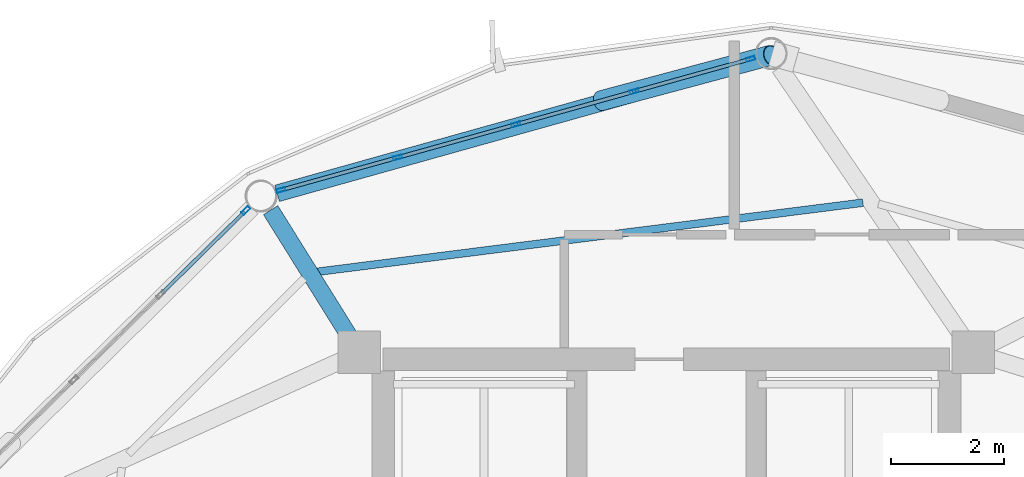
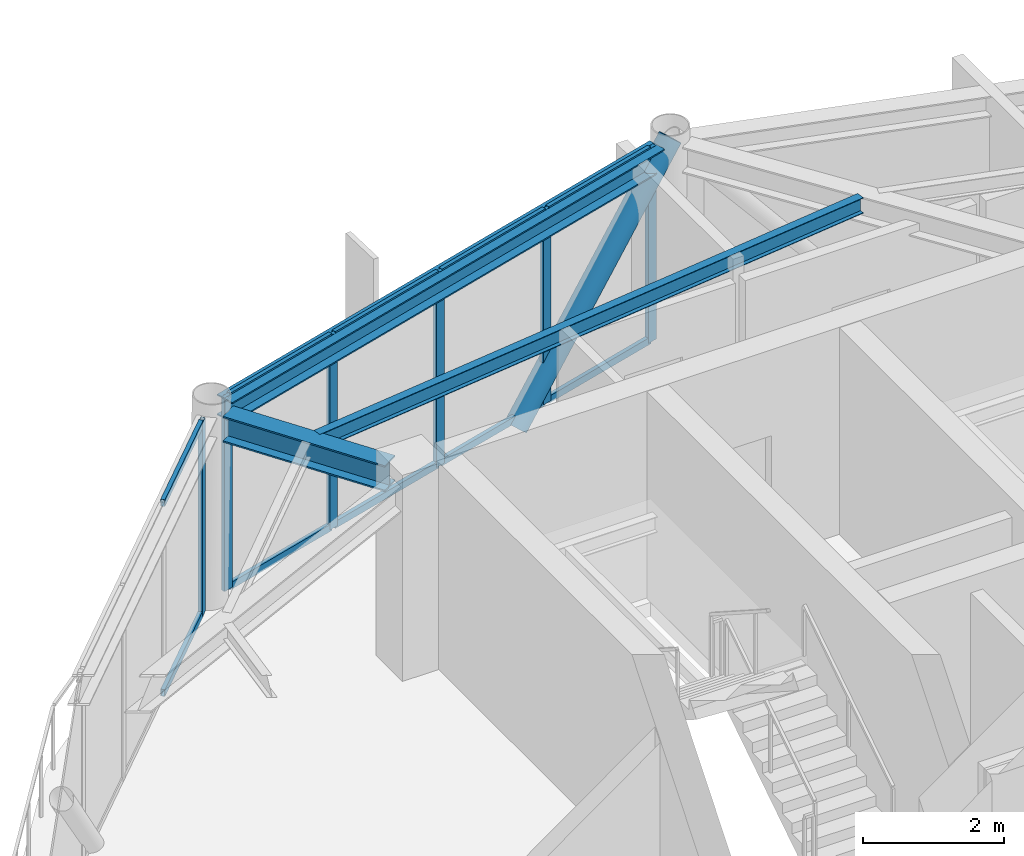
# One storey, part 18 of 26: 17 members, 3 beams, 2 elements without a shape of their own.
"""IFC4 building model written with IfcOpenShell, lengths in metres."""

import ifcopenshell
import ifcopenshell.guid

model = None  # the IFC model being written
_history = None  # IfcOwnerHistory: only IFC2X3 demands one
_inside = {}  # id of a spatial element -> (the spatial element, [elements in it])
_under = {}  # id of a project, library or spatial element -> (it, [spatial elements below it])
_declared = {}  # id of a project -> (the project, [libraries it declares])
_typed = {}  # id of a type object -> (the type object, [elements of that type])
_made_of = {}  # id of a material, layer set ... -> (it, [elements and type objects made of it])


def new_model(schema):
    """Start an empty IFC model of exactly this schema.

    Asked for "IFC4X3", IfcOpenShell would pick the latest addendum, in which some entities
    have other attributes; the version numbers below select the first issue.
    IFC2X3 requires an IfcOwnerHistory on every rooted entity: one is made here for all.
    """
    global model, _history
    if schema == "IFC4X3":
        model = ifcopenshell.file(schema_version=(4, 3, 0, 0))
    else:
        model = ifcopenshell.file(schema=schema)
    _inside.clear()
    _under.clear()
    _declared.clear()
    _typed.clear()
    _made_of.clear()
    _history = None
    if model.schema == "IFC2X3":
        org = make("IfcOrganization", Name="unknown")
        user = make(
            "IfcPersonAndOrganization",
            ThePerson=make("IfcPerson", FamilyName="unknown"),
            TheOrganization=org,
        )
        app = make(
            "IfcApplication",
            ApplicationDeveloper=org,
            Version="unknown",
            ApplicationFullName="unknown",
            ApplicationIdentifier="unknown",
        )
        _history = make(
            "IfcOwnerHistory",
            OwningUser=user,
            OwningApplication=app,
            ChangeAction="ADDED",
            CreationDate=0,
        )
    return model


def make(cls, **values):
    """One entity of the class cls with the attributes given. An attribute that is None is left unset."""
    return model.create_entity(
        cls, **{name: value for name, value in values.items() if value is not None}
    )


def rooted(cls, **values):
    """An entity with a GlobalId (a new one), such as an element, a storey or a relation."""
    return make(cls, GlobalId=ifcopenshell.guid.new(), OwnerHistory=_history, **values)


def si_unit(unit_type, name, prefix=None):
    """IfcSIUnit, for example si_unit("LENGTHUNIT", "METRE", prefix="MILLI")."""
    return make("IfcSIUnit", UnitType=unit_type, Prefix=prefix, Name=name)


def assignment(units):
    """IfcUnitAssignment: the units of a project."""
    return None if units is None else make("IfcUnitAssignment", Units=units)


def point(xyz):
    """IfcCartesianPoint."""
    return None if xyz is None else make("IfcCartesianPoint", Coordinates=xyz)


def direction(xyz):
    """IfcDirection."""
    return None if xyz is None else make("IfcDirection", DirectionRatios=xyz)


def frame(location, z_axis=None, x_axis=None):
    """IfcAxis2Placement3D, a coordinate frame: its origin and axes. An axis left out is left unset."""
    return make(
        "IfcAxis2Placement3D",
        Location=point(location),
        Axis=direction(z_axis),
        RefDirection=direction(x_axis),
    )


def frame_2d(location, x_axis=None):
    """IfcAxis2Placement2D, a coordinate frame in the plane: its origin and x axis."""
    return make(
        "IfcAxis2Placement2D", Location=point(location), RefDirection=direction(x_axis)
    )


def origin():
    """The frame at (0, 0, 0) with its axes left unset."""
    return frame((0.0, 0.0, 0.0))


def origin_2d():
    """The frame at (0, 0) in the plane with its x axis left unset."""
    return frame_2d((0.0, 0.0))


def place(relative_to, where):
    """IfcLocalPlacement: puts the frame where relative to a parent placement (None: the world)."""
    return make(
        "IfcLocalPlacement", PlacementRelTo=relative_to, RelativePlacement=where
    )


def context(
    kind, dimensions, precision=None, world=None, true_north=None, identifier=None
):
    """IfcGeometricRepresentationContext, for example the 3D "Model" context."""
    return make(
        "IfcGeometricRepresentationContext",
        ContextIdentifier=identifier,
        ContextType=kind,
        CoordinateSpaceDimension=dimensions,
        Precision=precision,
        WorldCoordinateSystem=world,
        TrueNorth=true_north,
    )


def subcontext(parent, identifier, kind, view, scale=None):
    """IfcGeometricRepresentationSubContext, for example "Body" below "Model"."""
    return make(
        "IfcGeometricRepresentationSubContext",
        ContextIdentifier=identifier,
        ContextType=kind,
        ParentContext=parent,
        TargetScale=scale,
        TargetView=view,
    )


def project(units=None, contexts=None):
    """IfcProject with its units and contexts."""
    return rooted(
        "IfcProject",
        Name="project",
        RepresentationContexts=contexts,
        UnitsInContext=assignment(units),
    )


def spatial(cls, under=None, at=None, **own):
    """A site, building, storey or space (cls), placed at a placement, below another one or the project."""
    s = rooted(cls, ObjectPlacement=at, **own)
    if under is not None:
        _under.setdefault(under.id(), (under, []))[1].append(s)
    return s


def profile(cls, at=None, kind="AREA", **sizes):
    """A parametric profile (cls). Its sizes go by their IFC names, for example OverallWidth=200.0."""
    return make(cls, ProfileType=kind, Position=at, **sizes)


def hollow_rectangle(**sizes):
    """IfcRectangleHollowProfileDef."""
    return profile("IfcRectangleHollowProfileDef", **sizes)


def hollow_circle(**sizes):
    """IfcCircleHollowProfileDef."""
    return profile("IfcCircleHollowProfileDef", **sizes)


def i_section(**sizes):
    """IfcIShapeProfileDef."""
    return profile("IfcIShapeProfileDef", **sizes)


def extrude(swept, where, along, depth):
    """IfcExtrudedAreaSolid: the profile swept, set in the frame where, extruded along a direction by depth."""
    return make(
        "IfcExtrudedAreaSolid",
        SweptArea=swept,
        Position=where,
        ExtrudedDirection=direction(along),
        Depth=depth,
    )


def shape(context_of_items, identifier, shape_type, items):
    """IfcShapeRepresentation: the items that make up one representation, for example the "Body"."""
    return make(
        "IfcShapeRepresentation",
        ContextOfItems=context_of_items,
        RepresentationIdentifier=identifier,
        RepresentationType=shape_type,
        Items=items,
    )


def material(Name=None, Category=None):
    """IfcMaterial."""
    return make("IfcMaterial", Name=Name, Category=Category)


def layer(
    of_material, thickness, ventilated=None, Name=None, Category=None, Priority=None
):
    """IfcMaterialLayer: one layer of a wall or slab, of a material (None: an air gap)."""
    return make(
        "IfcMaterialLayer",
        Material=of_material,
        LayerThickness=thickness,
        IsVentilated=ventilated,
        Name=Name,
        Category=Category,
        Priority=Priority,
    )


def layer_set(layers, Name=None):
    """IfcMaterialLayerSet."""
    return make("IfcMaterialLayerSet", MaterialLayers=layers, LayerSetName=Name)


def material_profile(
    of_material, cross_section, Name=None, Category=None, Priority=None
):
    """IfcMaterialProfile: a cross section and its material."""
    return make(
        "IfcMaterialProfile",
        Name=Name,
        Material=of_material,
        Profile=cross_section,
        Priority=Priority,
        Category=Category,
    )


def profile_set(profiles, Name=None, composite=None):
    """IfcMaterialProfileSet."""
    return make(
        "IfcMaterialProfileSet",
        Name=Name,
        MaterialProfiles=profiles,
        CompositeProfile=composite,
    )


def made_of(thing, what):
    """Note that an element or type object is made of a material, layer set ...; save() writes the relation."""
    if what is not None:
        _made_of.setdefault(what.id(), (what, []))[1].append(thing)
    return thing


def type_object(cls, material=None, **own):
    """A type object (cls), such as IfcWallType, which elements share."""
    return made_of(rooted(cls, **own), material)


def element(
    cls,
    number,
    at=None,
    inside=None,
    cuts=None,
    type_object=None,
    material=None,
    context=None,
    identifier="Body",
    shape_type=None,
    held_by="IfcProductDefinitionShape",
    body=None,
    shapes=None,
    **own,
):
    """One element of the class cls, such as IfcWall. Its Tag is "e" and its number.

    at: its placement. inside: the storey or other place that contains it. cuts: it is an
    opening in that element (IfcRelVoidsElement). A single representation is given by context,
    identifier, shape_type and body (its items); several are given by shapes. held_by: the class
    of the entity that holds the representations. save() writes the other relations.
    """
    e = rooted(cls, Tag="e%d" % number, ObjectPlacement=at, **own)
    if body is not None:
        shapes = [shape(context, identifier, shape_type, body)]
    if shapes is not None:
        e.Representation = make(held_by, Representations=shapes)
    if inside is not None:
        _inside.setdefault(inside.id(), (inside, []))[1].append(e)
    if cuts is not None:
        rooted(
            "IfcRelVoidsElement", RelatingBuildingElement=cuts, RelatedOpeningElement=e
        )
    if type_object is not None:
        _typed.setdefault(type_object.id(), (type_object, []))[1].append(e)
    return made_of(e, material)


def aggregate(whole, parts):
    """IfcRelAggregates: a whole, such as a stair, and the parts it consists of."""
    return rooted("IfcRelAggregates", RelatingObject=whole, RelatedObjects=parts)


def save(model, path):
    """Write the relations noted so far, then the file.

    IfcRelAggregates (storeys below a building ...), IfcRelContainedInSpatialStructure (elements
    in a storey), IfcRelDefinesByType, IfcRelAssociatesMaterial and IfcRelDeclares: one each for
    every whole, place, type object, material and project.
    """
    for whole, parts in _under.values():
        aggregate(whole, parts)
    for where, things in _inside.values():
        rooted(
            "IfcRelContainedInSpatialStructure",
            RelatedElements=things,
            RelatingStructure=where,
        )
    for kind, things in _typed.values():
        rooted("IfcRelDefinesByType", RelatedObjects=things, RelatingType=kind)
    for what, things in _made_of.values():
        rooted("IfcRelAssociatesMaterial", RelatedObjects=things, RelatingMaterial=what)
    for by, libraries in _declared.values():
        rooted("IfcRelDeclares", RelatingContext=by, RelatedDefinitions=libraries)
    model.write(path)


model = new_model("IFC4")

# Units and contexts
model_context = context("Model", 3, precision=1e-05, world=origin(), true_north=direction((0.0, 1.0)))
body_context = subcontext(model_context, "Body", "Model", "MODEL_VIEW")
ifc_project = project(units=[si_unit("LENGTHUNIT", "METRE"), si_unit("AREAUNIT", "SQUARE_METRE"), si_unit("VOLUMEUNIT", "CUBIC_METRE"), si_unit("PLANEANGLEUNIT", "RADIAN"), si_unit("MASSUNIT", "GRAM", prefix="KILO")], contexts=[model_context])

# Site, building, storey
site_placement = place(None, origin())
site = spatial("IfcSite", under=ifc_project, at=site_placement, CompositionType="ELEMENT")
building_placement = place(site_placement, origin())
building = spatial("IfcBuilding", under=site, at=building_placement, Name="Varnakorn Sky Granary", CompositionType="ELEMENT")
storey_placement = place(building_placement, frame((0.0, 0.0, 267.0)))
storey = spatial("IfcBuildingStorey", under=building, at=storey_placement, Name="L68", CompositionType="ELEMENT", Elevation=267.0)

# Beams
ifc_material_1 = material(Name="Steel S355JR", Category="steel")
ifc_material_profile_1 = material_profile(ifc_material_1, i_section(OverallWidth=0.300048828125, OverallDepth=0.449951171875, WebThickness=0.013916015625, FlangeThickness=0.02587890625, at=origin_2d()), Name="HE 450 B")
ifc_profile_set_1 = profile_set([ifc_material_profile_1], Name="Steel S355JR")
beam_type_1 = type_object("IfcBeamType", Name="BM-RAD-Z5", PredefinedType="BEAM", material=ifc_profile_set_1)
beam_1_placement = place(storey_placement, frame((-2.60791015625, 12.92138671875, 3.135009765625), z_axis=(-0.529047341822, 0.848592310896, 0.0), x_axis=(-0.848592310896, -0.529047341822, 0.0)))
element("IfcBeam", 1, at=beam_1_placement, inside=storey, type_object=beam_type_1, Name="Radial Floor Girder RG05 L68", PredefinedType="BEAM", context=body_context, shape_type="SweptSolid", body=[
    extrude(i_section(OverallWidth=0.300048828125, OverallDepth=0.449951171875, WebThickness=0.013916015625, FlangeThickness=0.02587890625, at=origin_2d()), origin(), (0.0, 0.0, 1.0), 2.60693359375),
])
ifc_material_profile_2 = material_profile(ifc_material_1, i_section(OverallWidth=0.135009765625, OverallDepth=0.27001953125, WebThickness=0.006591796875, FlangeThickness=0.01025390625, at=origin_2d()), Name="IPE 270")
ifc_profile_set_2 = profile_set([ifc_material_profile_2], Name="Steel S355JR")
beam_type_2 = type_object("IfcBeamType", Name="BM-SEC-Z5", PredefinedType="BEAM", material=ifc_profile_set_2)
beam_2_placement = place(storey_placement, frame((6.470703125, 15.264404296875, 3.22509765625), z_axis=(-0.992076132616, -0.125638159384, 0.0), x_axis=(0.125638159384, -0.992076132616, 0.0)))
element("IfcBeam", 2, at=beam_2_placement, inside=storey, type_object=beam_type_2, Name="Secondary Floor Chord Beam MSB04 L68", PredefinedType="BEAM", context=body_context, shape_type="SweptSolid", body=[
    extrude(i_section(OverallWidth=0.135009765625, OverallDepth=0.27001953125, WebThickness=0.006591796875, FlangeThickness=0.01025390625, at=origin_2d()), origin(), (0.0, 0.0, 1.0), 9.706298828125),
])
ifc_material_profile_3 = material_profile(ifc_material_1, i_section(OverallWidth=0.300048828125, OverallDepth=0.360107421875, WebThickness=0.012451171875, FlangeThickness=0.0224609375, at=origin_2d()), Name="HE 360 B")
ifc_profile_set_3 = profile_set([ifc_material_profile_3], Name="Steel S355JR")
beam_type_3 = type_object("IfcBeamType", Name="BM-SPD-Z5", PredefinedType="SPANDREL", material=ifc_profile_set_3)
beam_3_placement = place(storey_placement, frame((4.59521484375, 17.7978515625, 3.179931640625), z_axis=(-0.963030605559, -0.269392005741, 0.0), x_axis=(0.269392005741, -0.963030605559, 0.0)))
element("IfcBeam", 3, at=beam_3_placement, inside=storey, type_object=beam_type_3, Name="Perimeter Spandrel Ring Beam RB04 L68", PredefinedType="SPANDREL", context=body_context, shape_type="SweptSolid", body=[
    extrude(i_section(OverallWidth=0.300048828125, OverallDepth=0.360107421875, WebThickness=0.012451171875, FlangeThickness=0.0224609375, at=origin_2d()), origin(), (0.0, 0.0, 1.0), 8.79248046875),
])

# Curtain wall, members
ifc_material_2 = material(Name="Anodised Bronze Aluminium Alloy 6063-T6", Category="aluminium")
ifc_layer = layer(ifc_material_2, 0.159912109375, Name="Anodised Bronze Aluminium Alloy 6063-T6")
ifc_layer_set = layer_set([ifc_layer], Name="Anodised Bronze Aluminium Alloy 6063-T6")
curtain_wall_type = type_object("IfcCurtainWallType", Name="CW-OFF-1", PredefinedType="USERDEFINED", material=ifc_layer_set)
curtain_wall_1_placement = place(storey_placement, origin())
curtain_wall_1 = element("IfcCurtainWall", 4, at=curtain_wall_1_placement, inside=storey, type_object=curtain_wall_type, Name="Unitised Curtain Wall CW6 CW-L68-B04", ObjectType="CURTAIN WALL", PredefinedType="USERDEFINED")
ifc_material_profile_4 = material_profile(ifc_material_2, hollow_rectangle(XDim=0.06494140625, YDim=0.159912109375, WallThickness=0.00341796875, at=origin_2d()), Name="ALU MULL 65x160")
ifc_profile_set_4 = profile_set([ifc_material_profile_4], Name="Anodised Bronze Aluminium Alloy 6063-T6")
member_type_1 = type_object("IfcMemberType", Name="CW-OFF-1-MULL", PredefinedType="MULLION", material=ifc_profile_set_4)
member_1_placement = place(storey_placement, frame((-3.80224609375, 15.487548828125, 0.0), z_axis=(0.0, 0.0, 1.0), x_axis=(-0.268890232006, 0.963170827596, 0.0)))
member_1 = element("IfcMember", 5, at=member_1_placement, type_object=member_type_1, Name="CW6 mullion 1", PredefinedType="MULLION", context=body_context, shape_type="SweptSolid", body=[
    extrude(hollow_rectangle(XDim=0.06494140625, YDim=0.159912109375, WallThickness=0.00341796875, at=origin_2d()), origin(), (0.0, 0.0, 1.0), 3.360107421875),
])
member_2_placement = place(storey_placement, frame((-1.744384765625, 16.06201171875, 0.0), z_axis=(0.0, 0.0, 1.0), x_axis=(-0.268890232006, 0.963170827596, 0.0)))
member_2 = element("IfcMember", 6, at=member_2_placement, type_object=member_type_1, Name="CW6 mullion 2", PredefinedType="MULLION", context=body_context, shape_type="SweptSolid", body=[
    extrude(hollow_rectangle(XDim=0.06494140625, YDim=0.159912109375, WallThickness=0.00341796875, at=origin_2d()), origin(), (0.0, 0.0, 1.0), 3.360107421875),
])
member_3_placement = place(storey_placement, frame((0.3447265625, 16.645263671875, 0.0), z_axis=(0.0, 0.0, 1.0), x_axis=(-0.268890232006, 0.963170827596, 0.0)))
member_3 = element("IfcMember", 7, at=member_3_placement, type_object=member_type_1, Name="CW6 mullion 3", PredefinedType="MULLION", context=body_context, shape_type="SweptSolid", body=[
    extrude(hollow_rectangle(XDim=0.06494140625, YDim=0.159912109375, WallThickness=0.00341796875, at=origin_2d()), origin(), (0.0, 0.0, 1.0), 3.360107421875),
])
member_4_placement = place(storey_placement, frame((2.433837890625, 17.228515625, 0.0), z_axis=(0.0, 0.0, 1.0), x_axis=(-0.268890232006, 0.963170827596, 0.0)))
member_4 = element("IfcMember", 8, at=member_4_placement, type_object=member_type_1, Name="CW6 mullion 4", PredefinedType="MULLION", context=body_context, shape_type="SweptSolid", body=[
    extrude(hollow_rectangle(XDim=0.06494140625, YDim=0.159912109375, WallThickness=0.00341796875, at=origin_2d()), origin(), (0.0, 0.0, 1.0), 3.360107421875),
])
member_5_placement = place(storey_placement, frame((4.49169921875, 17.802978515625, 0.0), z_axis=(0.0, 0.0, 1.0), x_axis=(-0.268890232006, 0.963170827596, 0.0)))
member_5 = element("IfcMember", 9, at=member_5_placement, type_object=member_type_1, Name="CW6 mullion 5", PredefinedType="MULLION", context=body_context, shape_type="SweptSolid", body=[
    extrude(hollow_rectangle(XDim=0.06494140625, YDim=0.159912109375, WallThickness=0.00341796875, at=origin_2d()), origin(), (0.0, 0.0, 1.0), 3.360107421875),
])

# Curtain wall, member
curtain_wall_2_placement = place(storey_placement, origin())
curtain_wall_2 = element("IfcCurtainWall", 10, at=curtain_wall_2_placement, inside=storey, type_object=curtain_wall_type, Name="Unitised Curtain Wall CW6 CW-L68-B05", ObjectType="CURTAIN WALL", PredefinedType="USERDEFINED")
member_6_placement = place(storey_placement, frame((-4.425537109375, 15.126220703125, 0.0), z_axis=(0.0, 0.0, 1.0), x_axis=(-0.702091405728, 0.71208683319, 0.0)))
member_6 = element("IfcMember", 11, at=member_6_placement, type_object=member_type_1, Name="CW6 mullion 5", PredefinedType="MULLION", context=body_context, shape_type="SweptSolid", body=[
    extrude(hollow_rectangle(XDim=0.06494140625, YDim=0.159912109375, WallThickness=0.00341796875, at=origin_2d()), origin(), (0.0, 0.0, 1.0), 3.360107421875),
])

# Member
ifc_material_profile_5 = material_profile(ifc_material_2, hollow_rectangle(XDim=0.06494140625, YDim=0.1201171875, WallThickness=0.00341796875, at=origin_2d()), Name="ALU TRAN 65x120")
ifc_profile_set_5 = profile_set([ifc_material_profile_5], Name="Anodised Bronze Aluminium Alloy 6063-T6")
member_type_2 = type_object("IfcMemberType", Name="CW-OFF-1-TRAN", PredefinedType="USERDEFINED", material=ifc_profile_set_5)
member_7_placement = place(storey_placement, frame((-3.77099609375, 15.496337890625, 0.032470703125), z_axis=(0.963191334067, 0.268816766549, 0.0), x_axis=(-0.268816766549, 0.963191334067, 0.0)))
member_7 = element("IfcMember", 12, at=member_7_placement, type_object=member_type_2, Name="CW6 transom 1.1", ObjectType="TRANSOM", PredefinedType="USERDEFINED", context=body_context, shape_type="SweptSolid", body=[
    extrude(hollow_rectangle(XDim=0.06494140625, YDim=0.1201171875, WallThickness=0.00341796875, at=origin_2d()), origin(), (0.0, 0.0, 1.0), 2.071533203125),
])

member_8_placement = place(storey_placement, frame((-3.77099609375, 15.496337890625, 3.327392578125), z_axis=(0.963191334067, 0.268816766549, 0.0), x_axis=(-0.268816766549, 0.963191334067, 0.0)))
member_8 = element("IfcMember", 13, at=member_8_placement, type_object=member_type_2, Name="CW6 transom 1.2", ObjectType="TRANSOM", PredefinedType="USERDEFINED", context=body_context, shape_type="SweptSolid", body=[
    extrude(hollow_rectangle(XDim=0.06494140625, YDim=0.1201171875, WallThickness=0.00341796875, at=origin_2d()), origin(), (0.0, 0.0, 1.0), 2.071533203125),
])

member_9_placement = place(storey_placement, frame((-1.713134765625, 16.07080078125, 0.032470703125), z_axis=(0.963183026032, 0.268846533106, 0.0), x_axis=(-0.268846533106, 0.963183026032, 0.0)))
member_9 = element("IfcMember", 14, at=member_9_placement, type_object=member_type_2, Name="CW6 transom 2.1", ObjectType="TRANSOM", PredefinedType="USERDEFINED", context=body_context, shape_type="SweptSolid", body=[
    extrude(hollow_rectangle(XDim=0.06494140625, YDim=0.1201171875, WallThickness=0.00341796875, at=origin_2d()), origin(), (0.0, 0.0, 1.0), 2.10400390625),
])

member_10_placement = place(storey_placement, frame((-1.713134765625, 16.07080078125, 3.327392578125), z_axis=(0.963183026032, 0.268846533106, 0.0), x_axis=(-0.268846533106, 0.963183026032, 0.0)))
member_10 = element("IfcMember", 15, at=member_10_placement, type_object=member_type_2, Name="CW6 transom 2.2", ObjectType="TRANSOM", PredefinedType="USERDEFINED", context=body_context, shape_type="SweptSolid", body=[
    extrude(hollow_rectangle(XDim=0.06494140625, YDim=0.1201171875, WallThickness=0.00341796875, at=origin_2d()), origin(), (0.0, 0.0, 1.0), 2.10400390625),
])

member_11_placement = place(storey_placement, frame((0.3759765625, 16.654052734375, 0.032470703125), z_axis=(0.963183026032, 0.268846533106, 0.0), x_axis=(-0.268846533106, 0.963183026032, 0.0)))
member_11 = element("IfcMember", 16, at=member_11_placement, type_object=member_type_2, Name="CW6 transom 3.1", ObjectType="TRANSOM", PredefinedType="USERDEFINED", context=body_context, shape_type="SweptSolid", body=[
    extrude(hollow_rectangle(XDim=0.06494140625, YDim=0.1201171875, WallThickness=0.00341796875, at=origin_2d()), origin(), (0.0, 0.0, 1.0), 2.10400390625),
])

member_12_placement = place(storey_placement, frame((0.3759765625, 16.654052734375, 3.327392578125), z_axis=(0.963183026032, 0.268846533106, 0.0), x_axis=(-0.268846533106, 0.963183026032, 0.0)))
member_12 = element("IfcMember", 17, at=member_12_placement, type_object=member_type_2, Name="CW6 transom 3.2", ObjectType="TRANSOM", PredefinedType="USERDEFINED", context=body_context, shape_type="SweptSolid", body=[
    extrude(hollow_rectangle(XDim=0.06494140625, YDim=0.1201171875, WallThickness=0.00341796875, at=origin_2d()), origin(), (0.0, 0.0, 1.0), 2.10400390625),
])

member_13_placement = place(storey_placement, frame((2.465087890625, 17.2373046875, 0.032470703125), z_axis=(0.963191334067, 0.268816766549, 0.0), x_axis=(-0.268816766549, 0.963191334067, 0.0)))
member_13 = element("IfcMember", 18, at=member_13_placement, type_object=member_type_2, Name="CW6 transom 4.1", ObjectType="TRANSOM", PredefinedType="USERDEFINED", context=body_context, shape_type="SweptSolid", body=[
    extrude(hollow_rectangle(XDim=0.06494140625, YDim=0.1201171875, WallThickness=0.00341796875, at=origin_2d()), origin(), (0.0, 0.0, 1.0), 2.071533203125),
])

member_14_placement = place(storey_placement, frame((2.465087890625, 17.2373046875, 3.327392578125), z_axis=(0.963191334067, 0.268816766549, 0.0), x_axis=(-0.268816766549, 0.963191334067, 0.0)))
member_14 = element("IfcMember", 19, at=member_14_placement, type_object=member_type_2, Name="CW6 transom 4.2", ObjectType="TRANSOM", PredefinedType="USERDEFINED", context=body_context, shape_type="SweptSolid", body=[
    extrude(hollow_rectangle(XDim=0.06494140625, YDim=0.1201171875, WallThickness=0.00341796875, at=origin_2d()), origin(), (0.0, 0.0, 1.0), 2.071533203125),
])

aggregate(curtain_wall_1, [member_1, member_2, member_3, member_4, member_5, member_7, member_8, member_9, member_10, member_11, member_12, member_13, member_14])

member_15_placement = place(storey_placement, frame((-5.9072265625, 13.665283203125, 0.032470703125), z_axis=(0.712094582658, 0.702083545847, 0.0), x_axis=(-0.702083545847, 0.712094582658, 0.0)))
member_15 = element("IfcMember", 20, at=member_15_placement, type_object=member_type_2, Name="CW6 transom 4.1", ObjectType="TRANSOM", PredefinedType="USERDEFINED", context=body_context, shape_type="SweptSolid", body=[
    extrude(hollow_rectangle(XDim=0.06494140625, YDim=0.1201171875, WallThickness=0.00341796875, at=origin_2d()), origin(), (0.0, 0.0, 1.0), 2.048583984375),
])

member_16_placement = place(storey_placement, frame((-5.9072265625, 13.665283203125, 3.327392578125), z_axis=(0.712094582658, 0.702083545847, 0.0), x_axis=(-0.702083545847, 0.712094582658, 0.0)))
member_16 = element("IfcMember", 21, at=member_16_placement, type_object=member_type_2, Name="CW6 transom 4.2", ObjectType="TRANSOM", PredefinedType="USERDEFINED", context=body_context, shape_type="SweptSolid", body=[
    extrude(hollow_rectangle(XDim=0.06494140625, YDim=0.1201171875, WallThickness=0.00341796875, at=origin_2d()), origin(), (0.0, 0.0, 1.0), 2.048583984375),
])

aggregate(curtain_wall_2, [member_6, member_15, member_16])

ifc_material_3 = material(Name="Steel S460M", Category="steel")
ifc_material_profile_6 = material_profile(ifc_material_3, hollow_circle(Radius=0.177734375, WallThickness=0.01416015625, at=origin_2d()), Name="CHS 355.6x14")
ifc_profile_set_6 = profile_set([ifc_material_profile_6], Name="Steel S460M")
member_type_3 = type_object("IfcMemberType", Name="MB-DIAG-T5", PredefinedType="BRACE", material=ifc_profile_set_6)
member_17_placement = place(storey_placement, frame((1.846435546875, 17.064453125, -0.1298828125), z_axis=(0.642589807291, 0.172098952696, 0.746632633928), x_axis=(-0.258703380674, 0.965956811057, 0.0)))
element("IfcMember", 22, at=member_17_placement, inside=storey, type_object=member_type_3, Name="Perimeter CHS Diagrid Brace DG04 L68", PredefinedType="BRACE", context=body_context, shape_type="SweptSolid", body=[
    extrude(hollow_circle(Radius=0.177734375, WallThickness=0.01416015625, at=origin_2d()), origin(), (0.0, 0.0, 1.0), 4.67431640625),
])

save(model, "model.ifc")
